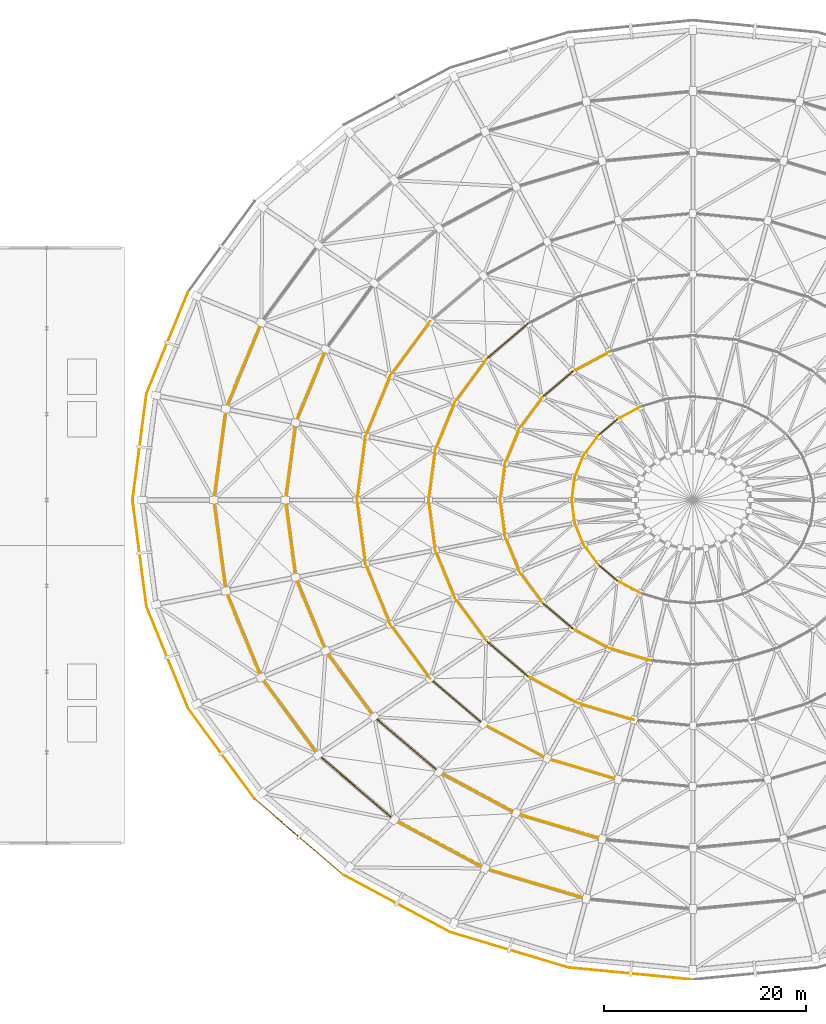
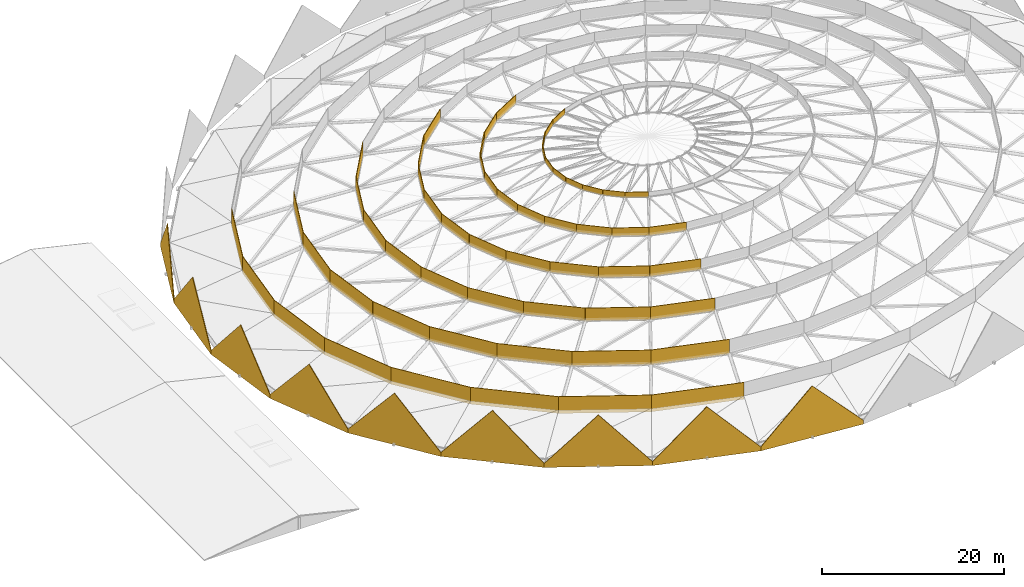
# One storey, part 24 of 27: 65 coverings.
"""IFC4 building model written with IfcOpenShell, lengths in metres."""

import ifcopenshell
import ifcopenshell.guid

model = None  # the IFC model being written
_history = None  # IfcOwnerHistory: only IFC2X3 demands one
_inside = {}  # id of a spatial element -> (the spatial element, [elements in it])
_under = {}  # id of a project, library or spatial element -> (it, [spatial elements below it])
_declared = {}  # id of a project -> (the project, [libraries it declares])
_typed = {}  # id of a type object -> (the type object, [elements of that type])
_made_of = {}  # id of a material, layer set ... -> (it, [elements and type objects made of it])


def new_model(schema):
    """Start an empty IFC model of exactly this schema.

    Asked for "IFC4X3", IfcOpenShell would pick the latest addendum, in which some entities
    have other attributes; the version numbers below select the first issue.
    IFC2X3 requires an IfcOwnerHistory on every rooted entity: one is made here for all.
    """
    global model, _history
    if schema == "IFC4X3":
        model = ifcopenshell.file(schema_version=(4, 3, 0, 0))
    else:
        model = ifcopenshell.file(schema=schema)
    _inside.clear()
    _under.clear()
    _declared.clear()
    _typed.clear()
    _made_of.clear()
    _history = None
    if model.schema == "IFC2X3":
        org = make("IfcOrganization", Name="unknown")
        user = make(
            "IfcPersonAndOrganization",
            ThePerson=make("IfcPerson", FamilyName="unknown"),
            TheOrganization=org,
        )
        app = make(
            "IfcApplication",
            ApplicationDeveloper=org,
            Version="unknown",
            ApplicationFullName="unknown",
            ApplicationIdentifier="unknown",
        )
        _history = make(
            "IfcOwnerHistory",
            OwningUser=user,
            OwningApplication=app,
            ChangeAction="ADDED",
            CreationDate=0,
        )
    return model


def make(cls, **values):
    """One entity of the class cls with the attributes given. An attribute that is None is left unset."""
    return model.create_entity(
        cls, **{name: value for name, value in values.items() if value is not None}
    )


def rooted(cls, **values):
    """An entity with a GlobalId (a new one), such as an element, a storey or a relation."""
    return make(cls, GlobalId=ifcopenshell.guid.new(), OwnerHistory=_history, **values)


def si_unit(unit_type, name, prefix=None):
    """IfcSIUnit, for example si_unit("LENGTHUNIT", "METRE", prefix="MILLI")."""
    return make("IfcSIUnit", UnitType=unit_type, Prefix=prefix, Name=name)


def assignment(units):
    """IfcUnitAssignment: the units of a project."""
    return None if units is None else make("IfcUnitAssignment", Units=units)


def point(xyz):
    """IfcCartesianPoint."""
    return None if xyz is None else make("IfcCartesianPoint", Coordinates=xyz)


def direction(xyz):
    """IfcDirection."""
    return None if xyz is None else make("IfcDirection", DirectionRatios=xyz)


def frame(location, z_axis=None, x_axis=None):
    """IfcAxis2Placement3D, a coordinate frame: its origin and axes. An axis left out is left unset."""
    return make(
        "IfcAxis2Placement3D",
        Location=point(location),
        Axis=direction(z_axis),
        RefDirection=direction(x_axis),
    )


def frame_2d(location, x_axis=None):
    """IfcAxis2Placement2D, a coordinate frame in the plane: its origin and x axis."""
    return make(
        "IfcAxis2Placement2D", Location=point(location), RefDirection=direction(x_axis)
    )


def origin():
    """The frame at (0, 0, 0) with its axes left unset."""
    return frame((0.0, 0.0, 0.0))


def place(relative_to, where):
    """IfcLocalPlacement: puts the frame where relative to a parent placement (None: the world)."""
    return make(
        "IfcLocalPlacement", PlacementRelTo=relative_to, RelativePlacement=where
    )


def context(
    kind, dimensions, precision=None, world=None, true_north=None, identifier=None
):
    """IfcGeometricRepresentationContext, for example the 3D "Model" context."""
    return make(
        "IfcGeometricRepresentationContext",
        ContextIdentifier=identifier,
        ContextType=kind,
        CoordinateSpaceDimension=dimensions,
        Precision=precision,
        WorldCoordinateSystem=world,
        TrueNorth=true_north,
    )


def subcontext(parent, identifier, kind, view, scale=None):
    """IfcGeometricRepresentationSubContext, for example "Body" below "Model"."""
    return make(
        "IfcGeometricRepresentationSubContext",
        ContextIdentifier=identifier,
        ContextType=kind,
        ParentContext=parent,
        TargetScale=scale,
        TargetView=view,
    )


def project(units=None, contexts=None):
    """IfcProject with its units and contexts."""
    return rooted(
        "IfcProject",
        Name="project",
        RepresentationContexts=contexts,
        UnitsInContext=assignment(units),
    )


def spatial(cls, under=None, at=None, **own):
    """A site, building, storey or space (cls), placed at a placement, below another one or the project."""
    s = rooted(cls, ObjectPlacement=at, **own)
    if under is not None:
        _under.setdefault(under.id(), (under, []))[1].append(s)
    return s


def polyline(points):
    """IfcPolyline through the points."""
    return make("IfcPolyline", Points=[point(p) for p in points])


def profile(cls, at=None, kind="AREA", **sizes):
    """A parametric profile (cls). Its sizes go by their IFC names, for example OverallWidth=200.0."""
    return make(cls, ProfileType=kind, Position=at, **sizes)


def rectangle(**sizes):
    """IfcRectangleProfileDef."""
    return profile("IfcRectangleProfileDef", **sizes)


def outline(outer, holes=None, kind="AREA"):
    """IfcArbitraryClosedProfileDef: a profile drawn as a closed curve; with holes, ...WithVoids."""
    if holes is None:
        return make("IfcArbitraryClosedProfileDef", ProfileType=kind, OuterCurve=outer)
    return make(
        "IfcArbitraryProfileDefWithVoids",
        ProfileType=kind,
        OuterCurve=outer,
        InnerCurves=holes,
    )


def extrude(swept, where, along, depth):
    """IfcExtrudedAreaSolid: the profile swept, set in the frame where, extruded along a direction by depth."""
    return make(
        "IfcExtrudedAreaSolid",
        SweptArea=swept,
        Position=where,
        ExtrudedDirection=direction(along),
        Depth=depth,
    )


def shape(context_of_items, identifier, shape_type, items):
    """IfcShapeRepresentation: the items that make up one representation, for example the "Body"."""
    return make(
        "IfcShapeRepresentation",
        ContextOfItems=context_of_items,
        RepresentationIdentifier=identifier,
        RepresentationType=shape_type,
        Items=items,
    )


def material(Name=None, Category=None):
    """IfcMaterial."""
    return make("IfcMaterial", Name=Name, Category=Category)


def layer(
    of_material, thickness, ventilated=None, Name=None, Category=None, Priority=None
):
    """IfcMaterialLayer: one layer of a wall or slab, of a material (None: an air gap)."""
    return make(
        "IfcMaterialLayer",
        Material=of_material,
        LayerThickness=thickness,
        IsVentilated=ventilated,
        Name=Name,
        Category=Category,
        Priority=Priority,
    )


def layer_set(layers, Name=None):
    """IfcMaterialLayerSet."""
    return make("IfcMaterialLayerSet", MaterialLayers=layers, LayerSetName=Name)


def made_of(thing, what):
    """Note that an element or type object is made of a material, layer set ...; save() writes the relation."""
    if what is not None:
        _made_of.setdefault(what.id(), (what, []))[1].append(thing)
    return thing


def type_object(cls, material=None, **own):
    """A type object (cls), such as IfcWallType, which elements share."""
    return made_of(rooted(cls, **own), material)


def element(
    cls,
    number,
    at=None,
    inside=None,
    cuts=None,
    type_object=None,
    material=None,
    context=None,
    identifier="Body",
    shape_type=None,
    held_by="IfcProductDefinitionShape",
    body=None,
    shapes=None,
    **own,
):
    """One element of the class cls, such as IfcWall. Its Tag is "e" and its number.

    at: its placement. inside: the storey or other place that contains it. cuts: it is an
    opening in that element (IfcRelVoidsElement). A single representation is given by context,
    identifier, shape_type and body (its items); several are given by shapes. held_by: the class
    of the entity that holds the representations. save() writes the other relations.
    """
    e = rooted(cls, Tag="e%d" % number, ObjectPlacement=at, **own)
    if body is not None:
        shapes = [shape(context, identifier, shape_type, body)]
    if shapes is not None:
        e.Representation = make(held_by, Representations=shapes)
    if inside is not None:
        _inside.setdefault(inside.id(), (inside, []))[1].append(e)
    if cuts is not None:
        rooted(
            "IfcRelVoidsElement", RelatingBuildingElement=cuts, RelatedOpeningElement=e
        )
    if type_object is not None:
        _typed.setdefault(type_object.id(), (type_object, []))[1].append(e)
    return made_of(e, material)


def aggregate(whole, parts):
    """IfcRelAggregates: a whole, such as a stair, and the parts it consists of."""
    return rooted("IfcRelAggregates", RelatingObject=whole, RelatedObjects=parts)


def save(model, path):
    """Write the relations noted so far, then the file.

    IfcRelAggregates (storeys below a building ...), IfcRelContainedInSpatialStructure (elements
    in a storey), IfcRelDefinesByType, IfcRelAssociatesMaterial and IfcRelDeclares: one each for
    every whole, place, type object, material and project.
    """
    for whole, parts in _under.values():
        aggregate(whole, parts)
    for where, things in _inside.values():
        rooted(
            "IfcRelContainedInSpatialStructure",
            RelatedElements=things,
            RelatingStructure=where,
        )
    for kind, things in _typed.values():
        rooted("IfcRelDefinesByType", RelatedObjects=things, RelatingType=kind)
    for what, things in _made_of.values():
        rooted("IfcRelAssociatesMaterial", RelatedObjects=things, RelatingMaterial=what)
    for by, libraries in _declared.values():
        rooted("IfcRelDeclares", RelatingContext=by, RelatedDefinitions=libraries)
    model.write(path)


model = new_model("IFC4")

# Units and contexts
model_context = context("Model", 3, precision=1e-05, world=origin(), true_north=direction((0.0, 1.0)))
body_context = subcontext(model_context, "Body", "Model", "MODEL_VIEW")
ifc_project = project(units=[si_unit("LENGTHUNIT", "METRE"), si_unit("AREAUNIT", "SQUARE_METRE"), si_unit("VOLUMEUNIT", "CUBIC_METRE"), si_unit("PLANEANGLEUNIT", "RADIAN"), si_unit("MASSUNIT", "GRAM", prefix="KILO")], contexts=[model_context])

# Site, building, storey
site_placement = place(None, origin())
site = spatial("IfcSite", under=ifc_project, at=site_placement, CompositionType="ELEMENT")
building_placement = place(site_placement, origin())
building = spatial("IfcBuilding", under=site, at=building_placement, Name="Cuetzalor Civic Arena", CompositionType="ELEMENT")
storey_placement = place(building_placement, frame((0.0, 0.0, 31.800048828125)))
storey = spatial("IfcBuildingStorey", under=building, at=storey_placement, Name="Roof", CompositionType="ELEMENT", Elevation=31.800048828125)

# Coverings
ifc_material = material(Name="Terracotta-red perforated anodised aluminium panel", Category="masonry")
ifc_layer = layer(ifc_material, 0.080078125)
ifc_layer_set = layer_set([ifc_layer], Name="Terracotta-red perforated anodised aluminium panel")
covering_type = type_object("IfcCoveringType", Name="TerracottaPerforatedScreenPanel", PredefinedType="CLADDING", material=ifc_layer_set)
covering_1_placement = place(storey_placement, frame((-54.1083984375, 10.569580078125, -0.1201171875), z_axis=(0.0, 0.0, 1.0), x_axis=(0.378411973316, 0.925637282336, 0.0)))
element("IfcCovering", 1, at=covering_1_placement, inside=storey, type_object=covering_type, Name="Terracotta Sawtooth Crest Panel S13", PredefinedType="CLADDING", context=body_context, shape_type="SweptSolid", body=[
    extrude(outline(polyline([(0.0, 0.0), (10.8466796875, 0.0), (10.846435546875, 0.52001953125), (5.42333984375, 6.920166015625), (0.0, 0.52001953125), (0.0, 0.0)])), frame((0.0, 0.0400390625, 0.0), z_axis=(0.0, -1.0, 0.0), x_axis=(1.0, 0.0, 0.0)), (0.0, 0.0, 1.0), 0.080078125),
])
for number, where, z_axis, x_axis, name in (
    (2, (-55.5, 0.0, -0.1201171875), (0.0, 0.0, 1.0), (0.130534485624, 0.991443769491, 0.0), "Terracotta Sawtooth Crest Panel S14"),
    (3, (-54.1083984375, -10.569580078125, -0.1201171875), (0.0, 0.0, 1.0), (-0.130534485624, 0.991443769491, 0.0), "Terracotta Sawtooth Crest Panel S15"),
):
    element("IfcCovering", number, at=place(storey_placement, frame(where, z_axis=z_axis, x_axis=x_axis)), inside=storey, type_object=covering_type, Name=name, PredefinedType="CLADDING", context=body_context, shape_type="SweptSolid", body=[
        extrude(outline(polyline([(0.0, 0.0), (10.660888671875, 0.0), (10.660888671875, 0.52001953125), (5.330322265625, 6.920166015625), (0.0, 0.52001953125), (0.0, 0.0)])), frame((0.0, 0.0400390625, 0.0), z_axis=(0.0, -1.0, 0.0), x_axis=(1.0, 0.0, 0.0)), (0.0, 0.0, 1.0), 0.080078125),
    ])
covering_2_placement = place(storey_placement, frame((-50.00390625, -20.609619140625, -0.1201171875), z_axis=(0.0, 0.0, 1.0), x_axis=(-0.378411973316, 0.925637282336, 0.0)))
element("IfcCovering", 4, at=covering_2_placement, inside=storey, type_object=covering_type, Name="Terracotta Sawtooth Crest Panel S16", PredefinedType="CLADDING", context=body_context, shape_type="SweptSolid", body=[
    extrude(outline(polyline([(0.0, 0.0), (10.8466796875, 0.0), (10.846435546875, 0.52001953125), (5.42333984375, 6.920166015625), (0.0, 0.52001953125), (0.0, 0.0)])), frame((0.0, 0.0400390625, 0.0), z_axis=(0.0, -1.0, 0.0), x_axis=(1.0, 0.0, 0.0)), (0.0, 0.0, 1.0), 0.080078125),
])
covering_3_placement = place(storey_placement, frame((-43.3916015625, -29.61572265625, -0.1201171875), z_axis=(0.0, 0.0, 1.0), x_axis=(-0.591819224601, 0.806070719846, 0.0)))
element("IfcCovering", 5, at=covering_3_placement, inside=storey, type_object=covering_type, Name="Terracotta Sawtooth Crest Panel S17", PredefinedType="CLADDING", context=body_context, shape_type="SweptSolid", body=[
    extrude(outline(polyline([(0.0, 0.0), (11.1728515625, 0.0), (11.1728515625, 0.52001953125), (5.58642578125, 6.920166015625), (0.0, 0.52001953125), (0.0, 0.0)])), frame((0.0, 0.0400390625, 0.0), z_axis=(0.0, -1.0, 0.0), x_axis=(1.0, 0.0, 0.0)), (0.0, 0.0, 1.0), 0.080078125),
])
covering_4_placement = place(storey_placement, frame((-34.603759765625, -37.136962890625, -0.1201171875), z_axis=(0.0, 0.0, 1.0), x_axis=(-0.759734649699, 0.650233236652, 0.0)))
element("IfcCovering", 6, at=covering_4_placement, inside=storey, type_object=covering_type, Name="Terracotta Sawtooth Crest Panel S18", PredefinedType="CLADDING", context=body_context, shape_type="SweptSolid", body=[
    extrude(outline(polyline([(0.0, 0.0), (11.56689453125, 0.0), (11.56689453125, 0.52001953125), (5.783447265625, 6.920166015625), (0.0, 0.52001953125), (0.0, 0.0)])), frame((0.0, 0.0400390625, 0.0), z_axis=(0.0, -1.0, 0.0), x_axis=(1.0, 0.0, 0.0)), (0.0, 0.0, 1.0), 0.080078125),
])
covering_5_placement = place(storey_placement, frame((-24.08056640625, -42.7958984375, -0.1201171875), z_axis=(0.0, 0.0, 1.0), x_axis=(-0.880729476331, 0.473619667584, 0.0)))
element("IfcCovering", 7, at=covering_5_placement, inside=storey, type_object=covering_type, Name="Terracotta Sawtooth Crest Panel S19", PredefinedType="CLADDING", context=body_context, shape_type="SweptSolid", body=[
    extrude(outline(polyline([(0.0, 0.0), (11.9482421875, 0.0), (11.9482421875, 0.52001953125), (5.97412109375, 6.920166015625), (0.0, 0.52001953125), (0.0, 0.0)])), frame((0.0, 0.0400390625, 0.0), z_axis=(0.0, -1.0, 0.0), x_axis=(1.0, 0.0, 0.0)), (0.0, 0.0, 1.0), 0.080078125),
])
covering_6_placement = place(storey_placement, frame((-12.349853515625, -46.30908203125, -0.1201171875), z_axis=(0.0, 0.0, 1.0), x_axis=(-0.957961714935, 0.286896066056, 0.0)))
element("IfcCovering", 8, at=covering_6_placement, inside=storey, type_object=covering_type, Name="Terracotta Sawtooth Crest Panel S20", PredefinedType="CLADDING", context=body_context, shape_type="SweptSolid", body=[
    extrude(outline(polyline([(0.0, 0.0), (12.24560546875, 0.0), (12.245361328125, 0.52001953125), (6.122802734375, 6.920166015625), (0.0, 0.52001953125), (0.0, 0.0)])), frame((0.0, 0.0400390625, 0.0), z_axis=(0.0, -1.0, 0.0), x_axis=(1.0, 0.0, 0.0)), (0.0, 0.0, 1.0), 0.080078125),
])
covering_7_placement = place(storey_placement, frame((0.0, -47.5, -0.1201171875), z_axis=(0.0, 0.0, 1.0), x_axis=(-0.995382637025, 0.095986488157, 0.0)))
element("IfcCovering", 9, at=covering_7_placement, inside=storey, type_object=covering_type, Name="Terracotta Sawtooth Crest Panel S21", PredefinedType="CLADDING", context=body_context, shape_type="SweptSolid", body=[
    extrude(outline(polyline([(0.0, 0.0), (12.4072265625, 0.0), (12.4072265625, 0.52001953125), (6.20361328125, 6.920166015625), (0.0, 0.52001953125), (0.0, 0.0)])), frame((0.0, 0.0400390625, 0.0), z_axis=(0.0, -1.0, 0.0), x_axis=(1.0, 0.0, 0.0)), (0.0, 0.0, 1.0), 0.080078125),
])
covering_8_placement = place(storey_placement, frame((-46.2685546875, 9.01171875, 2.06103515625), z_axis=(0.0, 0.0, 1.0), x_axis=(0.379398237974, 0.925233471629, 0.0)))
element("IfcCovering", 10, at=covering_8_placement, inside=storey, type_object=covering_type, Name="Dome Acoustic Clerestory Baffle Ring 1 S13", PredefinedType="CLADDING", context=body_context, shape_type="SweptSolid", body=[
    extrude(rectangle(XDim=9.25146484375, YDim=0.080078125, at=frame_2d((4.625732421875, 0.0))), origin(), (0.0, 0.0, 1.0), 2.263671875),
])
for number, where, z_axis, x_axis, name in (
    (11, (-47.45849609375, 0.0, 2.06103515625), (0.0, 0.0, 1.0), (0.130907488693, 0.991394588146, 0.0), "Dome Acoustic Clerestory Baffle Ring 1 S14"),
    (12, (-46.2685546875, -9.01171875, 2.06103515625), (0.0, 0.0, 1.0), (-0.130907488693, 0.991394588146, 0.0), "Dome Acoustic Clerestory Baffle Ring 1 S15"),
):
    element("IfcCovering", number, at=place(storey_placement, frame(where, z_axis=z_axis, x_axis=x_axis)), inside=storey, type_object=covering_type, Name=name, PredefinedType="CLADDING", context=body_context, shape_type="SweptSolid", body=[
        extrude(rectangle(XDim=9.08984375, YDim=0.080078125, at=frame_2d((4.544921875, 0.0))), origin(), (0.0, 0.0, 1.0), 2.263671875),
    ])
covering_9_placement = place(storey_placement, frame((-42.758544921875, -17.571533203125, 2.06103515625), z_axis=(0.0, 0.0, 1.0), x_axis=(-0.379398237974, 0.925233471629, 0.0)))
element("IfcCovering", 13, at=covering_9_placement, inside=storey, type_object=covering_type, Name="Dome Acoustic Clerestory Baffle Ring 1 S16", PredefinedType="CLADDING", context=body_context, shape_type="SweptSolid", body=[
    extrude(rectangle(XDim=9.25146484375, YDim=0.080078125, at=frame_2d((4.625732421875, 0.0))), origin(), (0.0, 0.0, 1.0), 2.263671875),
])
covering_10_placement = place(storey_placement, frame((-37.1044921875, -25.25048828125, 2.06103515625), z_axis=(0.0, 0.0, 1.0), x_axis=(-0.592918666159, 0.805262351858, 0.0)))
element("IfcCovering", 14, at=covering_10_placement, inside=storey, type_object=covering_type, Name="Dome Acoustic Clerestory Baffle Ring 1 S17", PredefinedType="CLADDING", context=body_context, shape_type="SweptSolid", body=[
    extrude(rectangle(XDim=9.535888671875, YDim=0.080078125, at=frame_2d((4.76806640625, 0.0))), origin(), (0.0, 0.0, 1.0), 2.263671875),
])
covering_11_placement = place(storey_placement, frame((-29.58984375, -31.6630859375, 2.06103515625), z_axis=(0.0, 0.0, 1.0), x_axis=(-0.760681764148, 0.649124990809, 0.0)))
element("IfcCovering", 15, at=covering_11_placement, inside=storey, type_object=covering_type, Name="Dome Acoustic Clerestory Baffle Ring 1 S18", PredefinedType="CLADDING", context=body_context, shape_type="SweptSolid", body=[
    extrude(rectangle(XDim=9.87890625, YDim=0.080078125, at=frame_2d((4.939453125, 0.0))), origin(), (0.0, 0.0, 1.0), 2.263671875),
])
covering_12_placement = place(storey_placement, frame((-20.591552734375, -36.48779296875, 2.06103515625), z_axis=(0.0, 0.0, 1.0), x_axis=(-0.881308929079, 0.472540550139, 0.0)))
element("IfcCovering", 16, at=covering_12_placement, inside=storey, type_object=covering_type, Name="Dome Acoustic Clerestory Baffle Ring 1 S19", PredefinedType="CLADDING", context=body_context, shape_type="SweptSolid", body=[
    extrude(rectangle(XDim=10.210205078125, YDim=0.080078125, at=frame_2d((5.10498046875, 0.0))), origin(), (0.0, 0.0, 1.0), 2.263671875),
])
covering_13_placement = place(storey_placement, frame((-10.560546875, -39.483154296875, 2.06103515625), z_axis=(0.0, 0.0, 1.0), x_axis=(-0.95819201033, 0.286125971104, 0.0)))
element("IfcCovering", 17, at=covering_13_placement, inside=storey, type_object=covering_type, Name="Dome Acoustic Clerestory Baffle Ring 1 S20", PredefinedType="CLADDING", context=body_context, shape_type="SweptSolid", body=[
    extrude(rectangle(XDim=10.46875, YDim=0.080078125, at=frame_2d((5.234375, 0.0))), origin(), (0.0, 0.0, 1.0), 2.263671875),
])
covering_14_placement = place(storey_placement, frame((-39.35498046875, 7.665283203125, 3.95458984375), z_axis=(0.0, 0.0, 1.0), x_axis=(0.379405869929, 0.925230342057, 0.0)))
element("IfcCovering", 18, at=covering_14_placement, inside=storey, type_object=covering_type, Name="Dome Acoustic Clerestory Baffle Ring 2 S13", PredefinedType="CLADDING", context=body_context, shape_type="SweptSolid", body=[
    extrude(rectangle(XDim=7.869140625, YDim=0.080078125, at=frame_2d((3.9345703125, 0.0))), origin(), (0.0, 0.0, 1.0), 2.031982421875),
])
for number, where, z_axis, x_axis, name in (
    (19, (-40.366943359375, 0.0, 3.95458984375), (0.0, 0.0, 1.0), (0.130883326155, 0.991397778359, 0.0), "Dome Acoustic Clerestory Baffle Ring 2 S14"),
    (20, (-39.35498046875, -7.665283203125, 3.95458984375), (0.0, 0.0, 1.0), (-0.130883326155, 0.991397778359, 0.0), "Dome Acoustic Clerestory Baffle Ring 2 S15"),
):
    element("IfcCovering", number, at=place(storey_placement, frame(where, z_axis=z_axis, x_axis=x_axis)), inside=storey, type_object=covering_type, Name=name, PredefinedType="CLADDING", context=body_context, shape_type="SweptSolid", body=[
        extrude(rectangle(XDim=7.731689453125, YDim=0.080078125, at=frame_2d((3.86572265625, 0.0))), origin(), (0.0, 0.0, 1.0), 2.031982421875),
    ])
covering_15_placement = place(storey_placement, frame((-36.369384765625, -14.946044921875, 3.95458984375), z_axis=(0.0, 0.0, 1.0), x_axis=(-0.379405869929, 0.925230342057, 0.0)))
element("IfcCovering", 21, at=covering_15_placement, inside=storey, type_object=covering_type, Name="Dome Acoustic Clerestory Baffle Ring 2 S16", PredefinedType="CLADDING", context=body_context, shape_type="SweptSolid", body=[
    extrude(rectangle(XDim=7.869140625, YDim=0.080078125, at=frame_2d((3.9345703125, 0.0))), origin(), (0.0, 0.0, 1.0), 2.031982421875),
])
covering_16_placement = place(storey_placement, frame((-31.560302734375, -21.477294921875, 3.95458984375), z_axis=(0.0, 0.0, 1.0), x_axis=(-0.592925880885, 0.80525703957, 0.0)))
element("IfcCovering", 22, at=covering_16_placement, inside=storey, type_object=covering_type, Name="Dome Acoustic Clerestory Baffle Ring 2 S17", PredefinedType="CLADDING", context=body_context, shape_type="SweptSolid", body=[
    extrude(rectangle(XDim=8.11083984375, YDim=0.080078125, at=frame_2d((4.055419921875, 0.0))), origin(), (0.0, 0.0, 1.0), 2.031982421875),
])
covering_17_placement = place(storey_placement, frame((-25.16845703125, -26.931640625, 3.95458984375), z_axis=(0.0, 0.0, 1.0), x_axis=(-0.760688366944, 0.649117253195, 0.0)))
element("IfcCovering", 23, at=covering_17_placement, inside=storey, type_object=covering_type, Name="Dome Acoustic Clerestory Baffle Ring 2 S18", PredefinedType="CLADDING", context=body_context, shape_type="SweptSolid", body=[
    extrude(rectangle(XDim=8.40283203125, YDim=0.080078125, at=frame_2d((4.201416015625, 0.0))), origin(), (0.0, 0.0, 1.0), 2.031982421875),
])
covering_18_placement = place(storey_placement, frame((-17.5146484375, -31.03564453125, 3.95458984375), z_axis=(0.0, 0.0, 1.0), x_axis=(-0.88130020339, 0.472556823572, 0.0)))
element("IfcCovering", 24, at=covering_18_placement, inside=storey, type_object=covering_type, Name="Dome Acoustic Clerestory Baffle Ring 2 S19", PredefinedType="CLADDING", context=body_context, shape_type="SweptSolid", body=[
    extrude(rectangle(XDim=8.6845703125, YDim=0.080078125, at=frame_2d((4.34228515625, 0.0))), origin(), (0.0, 0.0, 1.0), 2.031982421875),
])
covering_19_placement = place(storey_placement, frame((-8.982421875, -33.583251953125, 3.95458984375), z_axis=(0.0, 0.0, 1.0), x_axis=(-0.958198261041, 0.286105037598, 0.0)))
element("IfcCovering", 25, at=covering_19_placement, inside=storey, type_object=covering_type, Name="Dome Acoustic Clerestory Baffle Ring 2 S20", PredefinedType="CLADDING", context=body_context, shape_type="SweptSolid", body=[
    extrude(rectangle(XDim=8.904541015625, YDim=0.080078125, at=frame_2d((4.4521484375, 0.0))), origin(), (0.0, 0.0, 1.0), 2.031982421875),
])
covering_20_placement = place(storey_placement, frame((-29.980224609375, 12.3203125, 5.616455078125), z_axis=(0.0, 0.0, 1.0), x_axis=(0.592924979879, 0.805257702997, 0.0)))
element("IfcCovering", 26, at=covering_20_placement, inside=storey, type_object=covering_type, Name="Dome Acoustic Clerestory Baffle Ring 3 S12", PredefinedType="CLADDING", context=body_context, shape_type="SweptSolid", body=[
    extrude(rectangle(XDim=6.68603515625, YDim=0.080078125, at=frame_2d((3.343017578125, 0.0))), origin(), (0.0, 0.0, 1.0), 1.781005859375),
])
covering_21_placement = place(storey_placement, frame((-32.441162109375, 6.318603515625, 5.616455078125), z_axis=(0.0, 0.0, 1.0), x_axis=(0.379384535293, 0.925239090387, 0.0)))
element("IfcCovering", 27, at=covering_21_placement, inside=storey, type_object=covering_type, Name="Dome Acoustic Clerestory Baffle Ring 3 S13", PredefinedType="CLADDING", context=body_context, shape_type="SweptSolid", body=[
    extrude(rectangle(XDim=6.486572265625, YDim=0.080078125, at=frame_2d((3.2431640625, 0.0))), origin(), (0.0, 0.0, 1.0), 1.781005859375),
])
for number, where, z_axis, x_axis, name in (
    (28, (-33.275390625, 0.0, 5.616455078125), (0.0, 0.0, 1.0), (0.130891485179, 0.991396701178, 0.0), "Dome Acoustic Clerestory Baffle Ring 3 S14"),
    (29, (-32.441162109375, -6.318603515625, 5.616455078125), (0.0, 0.0, 1.0), (-0.130891485179, 0.991396701178, 0.0), "Dome Acoustic Clerestory Baffle Ring 3 S15"),
):
    element("IfcCovering", number, at=place(storey_placement, frame(where, z_axis=z_axis, x_axis=x_axis)), inside=storey, type_object=covering_type, Name=name, PredefinedType="CLADDING", context=body_context, shape_type="SweptSolid", body=[
        extrude(rectangle(XDim=6.37353515625, YDim=0.080078125, at=frame_2d((3.186767578125, 0.0))), origin(), (0.0, 0.0, 1.0), 1.781005859375),
    ])
covering_22_placement = place(storey_placement, frame((-29.980224609375, -12.3203125, 5.616455078125), z_axis=(0.0, 0.0, 1.0), x_axis=(-0.379384535293, 0.925239090387, 0.0)))
element("IfcCovering", 30, at=covering_22_placement, inside=storey, type_object=covering_type, Name="Dome Acoustic Clerestory Baffle Ring 3 S16", PredefinedType="CLADDING", context=body_context, shape_type="SweptSolid", body=[
    extrude(rectangle(XDim=6.486572265625, YDim=0.080078125, at=frame_2d((3.2431640625, 0.0))), origin(), (0.0, 0.0, 1.0), 1.781005859375),
])
covering_23_placement = place(storey_placement, frame((-26.015869140625, -17.704345703125, 5.616455078125), z_axis=(0.0, 0.0, 1.0), x_axis=(-0.592924979879, 0.805257702997, 0.0)))
element("IfcCovering", 31, at=covering_23_placement, inside=storey, type_object=covering_type, Name="Dome Acoustic Clerestory Baffle Ring 3 S17", PredefinedType="CLADDING", context=body_context, shape_type="SweptSolid", body=[
    extrude(rectangle(XDim=6.68603515625, YDim=0.080078125, at=frame_2d((3.343017578125, 0.0))), origin(), (0.0, 0.0, 1.0), 1.781005859375),
])
covering_24_placement = place(storey_placement, frame((-20.746826171875, -22.200439453125, 5.616455078125), z_axis=(0.0, 0.0, 1.0), x_axis=(-0.760697783839, 0.649106217551, 0.0)))
element("IfcCovering", 32, at=covering_24_placement, inside=storey, type_object=covering_type, Name="Dome Acoustic Clerestory Baffle Ring 3 S18", PredefinedType="CLADDING", context=body_context, shape_type="SweptSolid", body=[
    extrude(rectangle(XDim=6.926513671875, YDim=0.080078125, at=frame_2d((3.46337890625, 0.0))), origin(), (0.0, 0.0, 1.0), 1.781005859375),
])
covering_25_placement = place(storey_placement, frame((-14.437744140625, -25.58349609375, 5.616455078125), z_axis=(0.0, 0.0, 1.0), x_axis=(-0.881294345533, 0.472567748086, 0.0)))
element("IfcCovering", 33, at=covering_25_placement, inside=storey, type_object=covering_type, Name="Dome Acoustic Clerestory Baffle Ring 3 S19", PredefinedType="CLADDING", context=body_context, shape_type="SweptSolid", body=[
    extrude(rectangle(XDim=7.158935546875, YDim=0.080078125, at=frame_2d((3.57958984375, 0.0))), origin(), (0.0, 0.0, 1.0), 1.781005859375),
])
covering_26_placement = place(storey_placement, frame((-7.404541015625, -27.68359375, 5.616455078125), z_axis=(0.0, 0.0, 1.0), x_axis=(-0.958195334565, 0.286114838515, 0.0)))
element("IfcCovering", 34, at=covering_26_placement, inside=storey, type_object=covering_type, Name="Dome Acoustic Clerestory Baffle Ring 3 S20", PredefinedType="CLADDING", context=body_context, shape_type="SweptSolid", body=[
    extrude(rectangle(XDim=7.340087890625, YDim=0.080078125, at=frame_2d((3.669921875, 0.0))), origin(), (0.0, 0.0, 1.0), 1.781005859375),
])
covering_27_placement = place(storey_placement, frame((-20.471435546875, 13.931396484375, 7.02734375), z_axis=(0.0, 0.0, 1.0), x_axis=(0.760693428242, 0.649111321909, 0.0)))
element("IfcCovering", 35, at=covering_27_placement, inside=storey, type_object=covering_type, Name="Dome Acoustic Clerestory Baffle Ring 4 S11", PredefinedType="CLADDING", context=body_context, shape_type="SweptSolid", body=[
    extrude(rectangle(XDim=5.4501953125, YDim=0.080078125, at=frame_2d((2.72509765625, 0.0))), origin(), (0.0, 0.0, 1.0), 1.5029296875),
])
covering_28_placement = place(storey_placement, frame((-23.591064453125, 9.694580078125, 7.02734375), z_axis=(0.0, 0.0, 1.0), x_axis=(0.592923590931, 0.805258725701, 0.0)))
element("IfcCovering", 36, at=covering_28_placement, inside=storey, type_object=covering_type, Name="Dome Acoustic Clerestory Baffle Ring 4 S12", PredefinedType="CLADDING", context=body_context, shape_type="SweptSolid", body=[
    extrude(rectangle(XDim=5.261474609375, YDim=0.080078125, at=frame_2d((2.630859375, 0.0))), origin(), (0.0, 0.0, 1.0), 1.5029296875),
])
covering_29_placement = place(storey_placement, frame((-25.527587890625, 4.971923828125, 7.02734375), z_axis=(0.0, 0.0, 1.0), x_axis=(0.379392590278, 0.925235787485, 0.0)))
element("IfcCovering", 37, at=covering_29_placement, inside=storey, type_object=covering_type, Name="Dome Acoustic Clerestory Baffle Ring 4 S13", PredefinedType="CLADDING", context=body_context, shape_type="SweptSolid", body=[
    extrude(rectangle(XDim=5.104248046875, YDim=0.080078125, at=frame_2d((2.55224609375, 0.0))), origin(), (0.0, 0.0, 1.0), 1.5029296875),
])
for number, where, z_axis, x_axis, name in (
    (38, (-26.18408203125, 0.0, 7.02734375), (0.0, 0.0, 1.0), (0.130904064007, 0.991395040348, 0.0), "Dome Acoustic Clerestory Baffle Ring 4 S14"),
    (39, (-25.527587890625, -4.971923828125, 7.02734375), (0.0, 0.0, 1.0), (-0.130904064007, 0.991395040348, 0.0), "Dome Acoustic Clerestory Baffle Ring 4 S15"),
):
    element("IfcCovering", number, at=place(storey_placement, frame(where, z_axis=z_axis, x_axis=x_axis)), inside=storey, type_object=covering_type, Name=name, PredefinedType="CLADDING", context=body_context, shape_type="SweptSolid", body=[
        extrude(rectangle(XDim=5.01513671875, YDim=0.080078125, at=frame_2d((2.507568359375, 0.0))), origin(), (0.0, 0.0, 1.0), 1.5029296875),
    ])
covering_30_placement = place(storey_placement, frame((-23.591064453125, -9.694580078125, 7.02734375), z_axis=(0.0, 0.0, 1.0), x_axis=(-0.379392590278, 0.925235787485, 0.0)))
element("IfcCovering", 40, at=covering_30_placement, inside=storey, type_object=covering_type, Name="Dome Acoustic Clerestory Baffle Ring 4 S16", PredefinedType="CLADDING", context=body_context, shape_type="SweptSolid", body=[
    extrude(rectangle(XDim=5.104248046875, YDim=0.080078125, at=frame_2d((2.55224609375, 0.0))), origin(), (0.0, 0.0, 1.0), 1.5029296875),
])
covering_31_placement = place(storey_placement, frame((-20.471435546875, -13.931396484375, 7.02734375), z_axis=(0.0, 0.0, 1.0), x_axis=(-0.592923590931, 0.805258725701, 0.0)))
element("IfcCovering", 41, at=covering_31_placement, inside=storey, type_object=covering_type, Name="Dome Acoustic Clerestory Baffle Ring 4 S17", PredefinedType="CLADDING", context=body_context, shape_type="SweptSolid", body=[
    extrude(rectangle(XDim=5.261474609375, YDim=0.080078125, at=frame_2d((2.630859375, 0.0))), origin(), (0.0, 0.0, 1.0), 1.5029296875),
])
covering_32_placement = place(storey_placement, frame((-16.325439453125, -17.46923828125, 7.02734375), z_axis=(0.0, 0.0, 1.0), x_axis=(-0.760693428242, 0.649111321909, 0.0)))
element("IfcCovering", 42, at=covering_32_placement, inside=storey, type_object=covering_type, Name="Dome Acoustic Clerestory Baffle Ring 4 S18", PredefinedType="CLADDING", context=body_context, shape_type="SweptSolid", body=[
    extrude(rectangle(XDim=5.4501953125, YDim=0.080078125, at=frame_2d((2.72509765625, 0.0))), origin(), (0.0, 0.0, 1.0), 1.5029296875),
])
covering_33_placement = place(storey_placement, frame((-11.36083984375, -20.131103515625, 7.02734375), z_axis=(0.0, 0.0, 1.0), x_axis=(-0.881313042066, 0.472532879157, 0.0)))
element("IfcCovering", 43, at=covering_33_placement, inside=storey, type_object=covering_type, Name="Dome Acoustic Clerestory Baffle Ring 4 S19", PredefinedType="CLADDING", context=body_context, shape_type="SweptSolid", body=[
    extrude(rectangle(XDim=5.63330078125, YDim=0.080078125, at=frame_2d((2.816650390625, 0.0))), origin(), (0.0, 0.0, 1.0), 1.5029296875),
])
covering_34_placement = place(storey_placement, frame((-5.826416015625, -21.78369140625, 7.02734375), z_axis=(0.0, 0.0, 1.0), x_axis=(-0.958194283061, 0.286118359965, 0.0)))
element("IfcCovering", 44, at=covering_34_placement, inside=storey, type_object=covering_type, Name="Dome Acoustic Clerestory Baffle Ring 4 S20", PredefinedType="CLADDING", context=body_context, shape_type="SweptSolid", body=[
    extrude(rectangle(XDim=5.77587890625, YDim=0.080078125, at=frame_2d((2.887939453125, 0.0))), origin(), (0.0, 0.0, 1.0), 1.5029296875),
])
covering_35_placement = place(storey_placement, frame((-11.904052734375, 12.738037109375, 8.160400390625), z_axis=(0.0, 0.0, 1.0), x_axis=(0.881320873547, 0.472518272505, 0.0)))
element("IfcCovering", 45, at=covering_35_placement, inside=storey, type_object=covering_type, Name="Dome Acoustic Clerestory Baffle Ring 5 S10", PredefinedType="CLADDING", context=body_context, shape_type="SweptSolid", body=[
    extrude(rectangle(XDim=4.107666015625, YDim=0.080078125, at=frame_2d((2.0537109375, 0.0))), origin(), (0.0, 0.0, 1.0), 1.180419921875),
])
covering_36_placement = place(storey_placement, frame((-14.927001953125, 10.158203125, 8.160400390625), z_axis=(0.0, 0.0, 1.0), x_axis=(0.760655501722, 0.64915576536, 0.0)))
element("IfcCovering", 46, at=covering_36_placement, inside=storey, type_object=covering_type, Name="Dome Acoustic Clerestory Baffle Ring 5 S11", PredefinedType="CLADDING", context=body_context, shape_type="SweptSolid", body=[
    extrude(rectangle(XDim=3.97412109375, YDim=0.080078125, at=frame_2d((1.987060546875, 0.0))), origin(), (0.0, 0.0, 1.0), 1.180419921875),
])
covering_37_placement = place(storey_placement, frame((-17.20166015625, 7.069091796875, 8.160400390625), z_axis=(0.0, 0.0, 1.0), x_axis=(0.592940674136, 0.805246146812, 0.0)))
element("IfcCovering", 47, at=covering_37_placement, inside=storey, type_object=covering_type, Name="Dome Acoustic Clerestory Baffle Ring 5 S12", PredefinedType="CLADDING", context=body_context, shape_type="SweptSolid", body=[
    extrude(rectangle(XDim=3.836181640625, YDim=0.080078125, at=frame_2d((1.91796875, 0.0))), origin(), (0.0, 0.0, 1.0), 1.180419921875),
])
covering_38_placement = place(storey_placement, frame((-18.61376953125, 3.62548828125, 8.160400390625), z_axis=(0.0, 0.0, 1.0), x_axis=(0.379406628759, 0.925230030886, 0.0)))
element("IfcCovering", 48, at=covering_38_placement, inside=storey, type_object=covering_type, Name="Dome Acoustic Clerestory Baffle Ring 5 S13", PredefinedType="CLADDING", context=body_context, shape_type="SweptSolid", body=[
    extrude(rectangle(XDim=3.721923828125, YDim=0.080078125, at=frame_2d((1.86083984375, 0.0))), origin(), (0.0, 0.0, 1.0), 1.180419921875),
])
for number, where, z_axis, x_axis, name in (
    (49, (-19.092529296875, 0.0, 8.160400390625), (0.0, 0.0, 1.0), (0.130917322618, 0.991393289587, 0.0), "Dome Acoustic Clerestory Baffle Ring 5 S14"),
    (50, (-18.61376953125, -3.62548828125, 8.160400390625), (0.0, 0.0, 1.0), (-0.130917322618, 0.991393289587, 0.0), "Dome Acoustic Clerestory Baffle Ring 5 S15"),
):
    element("IfcCovering", number, at=place(storey_placement, frame(where, z_axis=z_axis, x_axis=x_axis)), inside=storey, type_object=covering_type, Name=name, PredefinedType="CLADDING", context=body_context, shape_type="SweptSolid", body=[
        extrude(rectangle(XDim=3.656982421875, YDim=0.080078125, at=frame_2d((1.82861328125, 0.0))), origin(), (0.0, 0.0, 1.0), 1.180419921875),
    ])
covering_39_placement = place(storey_placement, frame((-17.20166015625, -7.069091796875, 8.160400390625), z_axis=(0.0, 0.0, 1.0), x_axis=(-0.379406628759, 0.925230030886, 0.0)))
element("IfcCovering", 51, at=covering_39_placement, inside=storey, type_object=covering_type, Name="Dome Acoustic Clerestory Baffle Ring 5 S16", PredefinedType="CLADDING", context=body_context, shape_type="SweptSolid", body=[
    extrude(rectangle(XDim=3.721923828125, YDim=0.080078125, at=frame_2d((1.86083984375, 0.0))), origin(), (0.0, 0.0, 1.0), 1.180419921875),
])
covering_40_placement = place(storey_placement, frame((-14.927001953125, -10.158203125, 8.160400390625), z_axis=(0.0, 0.0, 1.0), x_axis=(-0.592940674136, 0.805246146812, 0.0)))
element("IfcCovering", 52, at=covering_40_placement, inside=storey, type_object=covering_type, Name="Dome Acoustic Clerestory Baffle Ring 5 S17", PredefinedType="CLADDING", context=body_context, shape_type="SweptSolid", body=[
    extrude(rectangle(XDim=3.836181640625, YDim=0.080078125, at=frame_2d((1.91796875, 0.0))), origin(), (0.0, 0.0, 1.0), 1.180419921875),
])
covering_41_placement = place(storey_placement, frame((-11.904052734375, -12.738037109375, 8.160400390625), z_axis=(0.0, 0.0, 1.0), x_axis=(-0.760655501722, 0.64915576536, 0.0)))
element("IfcCovering", 53, at=covering_41_placement, inside=storey, type_object=covering_type, Name="Dome Acoustic Clerestory Baffle Ring 5 S18", PredefinedType="CLADDING", context=body_context, shape_type="SweptSolid", body=[
    extrude(rectangle(XDim=3.97412109375, YDim=0.080078125, at=frame_2d((1.987060546875, 0.0))), origin(), (0.0, 0.0, 1.0), 1.180419921875),
])
covering_42_placement = place(storey_placement, frame((-8.283935546875, -14.678955078125, 8.160400390625), z_axis=(0.0, 0.0, 1.0), x_axis=(-0.881320873547, 0.472518272505, 0.0)))
element("IfcCovering", 54, at=covering_42_placement, inside=storey, type_object=covering_type, Name="Dome Acoustic Clerestory Baffle Ring 5 S19", PredefinedType="CLADDING", context=body_context, shape_type="SweptSolid", body=[
    extrude(rectangle(XDim=4.107666015625, YDim=0.080078125, at=frame_2d((2.0537109375, 0.0))), origin(), (0.0, 0.0, 1.0), 1.180419921875),
])
covering_43_placement = place(storey_placement, frame((-4.24853515625, -15.884033203125, 8.160400390625), z_axis=(0.0, 0.0, 1.0), x_axis=(-0.958187704523, 0.286140390195, 0.0)))
element("IfcCovering", 55, at=covering_43_placement, inside=storey, type_object=covering_type, Name="Dome Acoustic Clerestory Baffle Ring 5 S20", PredefinedType="CLADDING", context=body_context, shape_type="SweptSolid", body=[
    extrude(rectangle(XDim=4.21142578125, YDim=0.080078125, at=frame_2d((2.105712890625, 0.0))), origin(), (0.0, 0.0, 1.0), 1.180419921875),
])
covering_44_placement = place(storey_placement, frame((-7.482421875, 8.006591796875, 8.970947265625), z_axis=(0.0, 0.0, 1.0), x_axis=(0.881277466285, 0.472599224945, 0.0)))
element("IfcCovering", 56, at=covering_44_placement, inside=storey, type_object=covering_type, Name="Dome Acoustic Clerestory Baffle Ring 6 S10", PredefinedType="CLADDING", context=body_context, shape_type="SweptSolid", body=[
    extrude(rectangle(XDim=2.58203125, YDim=0.080078125, at=frame_2d((1.291015625, 0.0))), origin(), (0.0, 0.0, 1.0), 0.7490234375),
])
covering_45_placement = place(storey_placement, frame((-9.3828125, 6.38525390625, 8.970947265625), z_axis=(0.0, 0.0, 1.0), x_axis=(0.760751629131, 0.649043110105, 0.0)))
element("IfcCovering", 57, at=covering_45_placement, inside=storey, type_object=covering_type, Name="Dome Acoustic Clerestory Baffle Ring 6 S11", PredefinedType="CLADDING", context=body_context, shape_type="SweptSolid", body=[
    extrude(rectangle(XDim=2.498046875, YDim=0.080078125, at=frame_2d((1.2490234375, 0.0))), origin(), (0.0, 0.0, 1.0), 0.7490234375),
])
covering_46_placement = place(storey_placement, frame((-10.8125, 4.443359375, 8.970947265625), z_axis=(0.0, 0.0, 1.0), x_axis=(0.592881265751, 0.805289888625, 0.0)))
element("IfcCovering", 58, at=covering_46_placement, inside=storey, type_object=covering_type, Name="Dome Acoustic Clerestory Baffle Ring 6 S12", PredefinedType="CLADDING", context=body_context, shape_type="SweptSolid", body=[
    extrude(rectangle(XDim=2.411376953125, YDim=0.080078125, at=frame_2d((1.20556640625, 0.0))), origin(), (0.0, 0.0, 1.0), 0.7490234375),
])
covering_47_placement = place(storey_placement, frame((-11.7001953125, 2.27880859375, 8.970947265625), z_axis=(0.0, 0.0, 1.0), x_axis=(0.379437257264, 0.925217470544, 0.0)))
element("IfcCovering", 59, at=covering_47_placement, inside=storey, type_object=covering_type, Name="Dome Acoustic Clerestory Baffle Ring 6 S13", PredefinedType="CLADDING", context=body_context, shape_type="SweptSolid", body=[
    extrude(rectangle(XDim=2.339599609375, YDim=0.080078125, at=frame_2d((1.169921875, 0.0))), origin(), (0.0, 0.0, 1.0), 0.7490234375),
])
for number, where, z_axis, x_axis, name in (
    (60, (-12.0009765625, 0.0, 8.970947265625), (0.0, 0.0, 1.0), (0.130855642293, 0.991401432761, 0.0), "Dome Acoustic Clerestory Baffle Ring 6 S14"),
    (61, (-11.7001953125, -2.27880859375, 8.970947265625), (0.0, 0.0, 1.0), (-0.130855642293, 0.991401432761, 0.0), "Dome Acoustic Clerestory Baffle Ring 6 S15"),
):
    element("IfcCovering", number, at=place(storey_placement, frame(where, z_axis=z_axis, x_axis=x_axis)), inside=storey, type_object=covering_type, Name=name, PredefinedType="CLADDING", context=body_context, shape_type="SweptSolid", body=[
        extrude(rectangle(XDim=2.298583984375, YDim=0.080078125, at=frame_2d((1.1494140625, 0.0))), origin(), (0.0, 0.0, 1.0), 0.7490234375),
    ])
covering_48_placement = place(storey_placement, frame((-10.8125, -4.443359375, 8.970947265625), z_axis=(0.0, 0.0, 1.0), x_axis=(-0.379437257264, 0.925217470544, 0.0)))
element("IfcCovering", 62, at=covering_48_placement, inside=storey, type_object=covering_type, Name="Dome Acoustic Clerestory Baffle Ring 6 S16", PredefinedType="CLADDING", context=body_context, shape_type="SweptSolid", body=[
    extrude(rectangle(XDim=2.339599609375, YDim=0.080078125, at=frame_2d((1.169921875, 0.0))), origin(), (0.0, 0.0, 1.0), 0.7490234375),
])
covering_49_placement = place(storey_placement, frame((-9.3828125, -6.38525390625, 8.970947265625), z_axis=(0.0, 0.0, 1.0), x_axis=(-0.592881265751, 0.805289888625, 0.0)))
element("IfcCovering", 63, at=covering_49_placement, inside=storey, type_object=covering_type, Name="Dome Acoustic Clerestory Baffle Ring 6 S17", PredefinedType="CLADDING", context=body_context, shape_type="SweptSolid", body=[
    extrude(rectangle(XDim=2.411376953125, YDim=0.080078125, at=frame_2d((1.20556640625, 0.0))), origin(), (0.0, 0.0, 1.0), 0.7490234375),
])
covering_50_placement = place(storey_placement, frame((-7.482421875, -8.006591796875, 8.970947265625), z_axis=(0.0, 0.0, 1.0), x_axis=(-0.760751629131, 0.649043110105, 0.0)))
element("IfcCovering", 64, at=covering_50_placement, inside=storey, type_object=covering_type, Name="Dome Acoustic Clerestory Baffle Ring 6 S18", PredefinedType="CLADDING", context=body_context, shape_type="SweptSolid", body=[
    extrude(rectangle(XDim=2.498046875, YDim=0.080078125, at=frame_2d((1.2490234375, 0.0))), origin(), (0.0, 0.0, 1.0), 0.7490234375),
])
covering_51_placement = place(storey_placement, frame((-5.20703125, -9.226806640625, 8.970947265625), z_axis=(0.0, 0.0, 1.0), x_axis=(-0.881277466285, 0.472599224945, 0.0)))
element("IfcCovering", 65, at=covering_51_placement, inside=storey, type_object=covering_type, Name="Dome Acoustic Clerestory Baffle Ring 6 S19", PredefinedType="CLADDING", context=body_context, shape_type="SweptSolid", body=[
    extrude(rectangle(XDim=2.58203125, YDim=0.080078125, at=frame_2d((1.291015625, 0.0))), origin(), (0.0, 0.0, 1.0), 0.7490234375),
])

save(model, "model.ifc")
